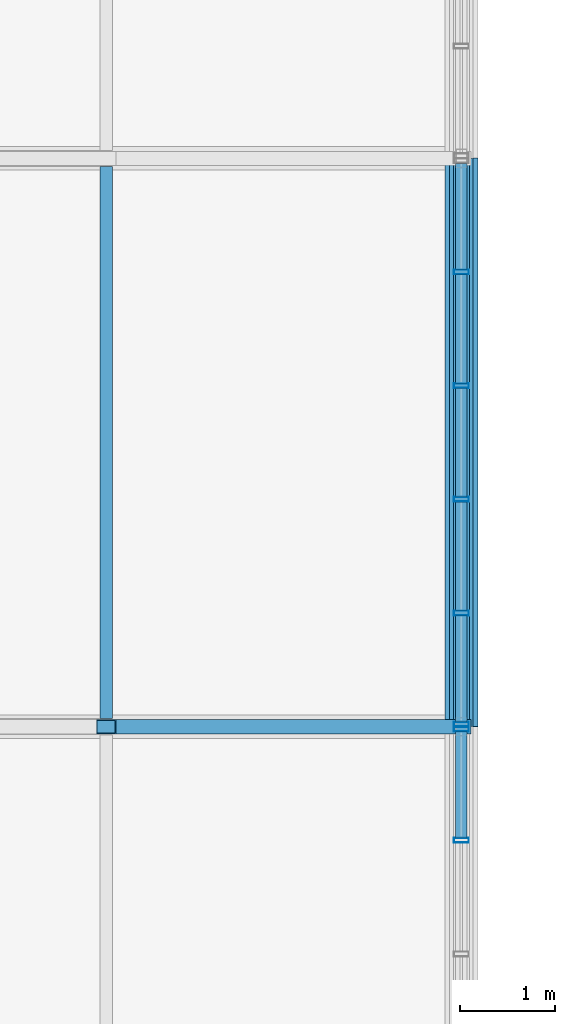
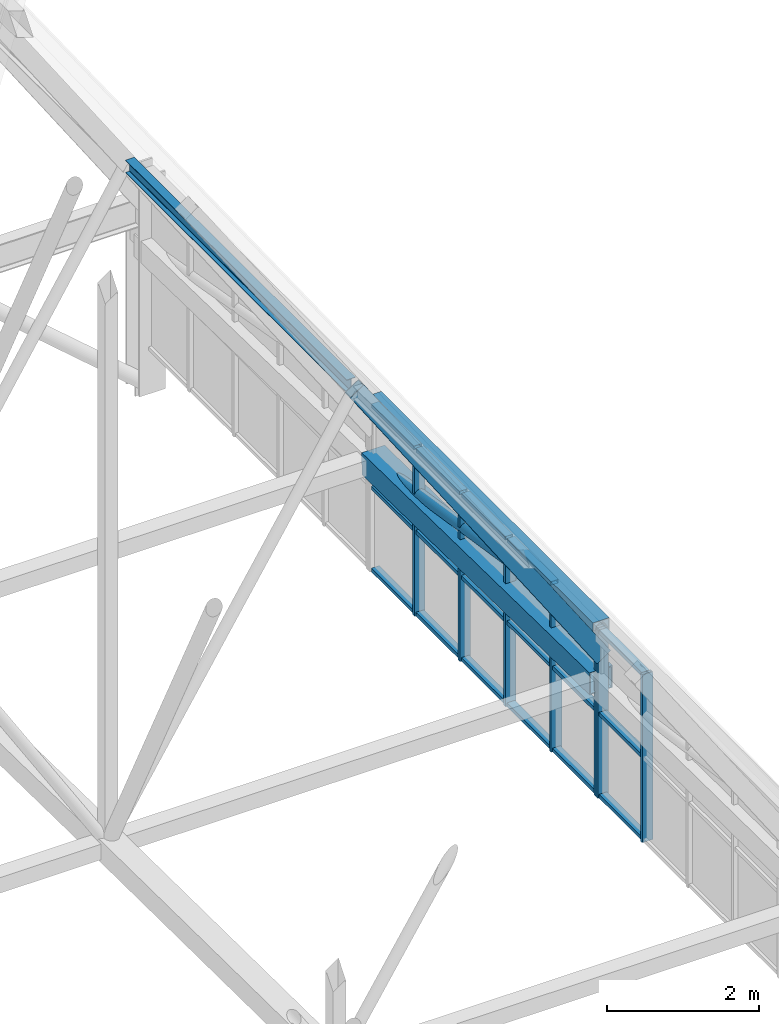
# One storey, part 240 of 324: 29 members, 1 beam, 2 elements without a shape of their own.
"""IFC4 building model written with IfcOpenShell, lengths in metres."""

from ifc_helpers import new_model, si_unit, direction, frame, origin, origin_2d, place, context, subcontext, project, spatial, hollow_rectangle, hollow_circle, i_section, extrude, material, layer, layer_set, material_profile, profile_set, type_object, element, aggregate, save


model = new_model("IFC4")

# Units and contexts
model_context = context("Model", 3, precision=1e-05, world=origin(), true_north=direction((0.0, 1.0)))
body_context = subcontext(model_context, "Body", "Model", "MODEL_VIEW")
ifc_project = project(units=[si_unit("LENGTHUNIT", "METRE"), si_unit("AREAUNIT", "SQUARE_METRE"), si_unit("VOLUMEUNIT", "CUBIC_METRE"), si_unit("PLANEANGLEUNIT", "RADIAN"), si_unit("MASSUNIT", "GRAM", prefix="KILO")], contexts=[model_context])

# Site, building, storey
site_placement = place(None, origin())
site = spatial("IfcSite", under=ifc_project, at=site_placement, CompositionType="ELEMENT")
building_placement = place(site_placement, origin())
building = spatial("IfcBuilding", under=site, at=building_placement, Name="Solvenia Promenade Tram Depot", CompositionType="ELEMENT")
storey_placement = place(building_placement, frame((0.0, 0.0, 4.5)))
storey = spatial("IfcBuildingStorey", under=building, at=storey_placement, Name="L01", CompositionType="ELEMENT", Elevation=4.5)

# Curtain wall, members
ifc_material_1 = material(Name="Anodized aluminium AW-6063 T6", Category="aluminium")
ifc_layer = layer(ifc_material_1, 0.159912109375, Name="Anodized aluminium AW-6063 T6", Category="aluminium")
ifc_layer_set = layer_set([ifc_layer], Name="Anodized aluminium AW-6063 T6")
curtain_wall_type = type_object("IfcCurtainWallType", Name="CW-Channel-1200", PredefinedType="NOTDEFINED", material=ifc_layer_set)
curtain_wall_1_placement = place(storey_placement, origin())
curtain_wall_1 = element("IfcCurtainWall", 1, at=curtain_wall_1_placement, inside=storey, type_object=curtain_wall_type, Name="Curtain Wall CW-V1E-08", PredefinedType="NOTDEFINED")
ifc_material_profile_1 = material_profile(ifc_material_1, hollow_rectangle(XDim=0.159912109375, YDim=0.052001953125, WallThickness=0.00390625, at=origin_2d()), Name="ALU-M1", Category="aluminium")
ifc_profile_set_1 = profile_set([ifc_material_profile_1], Name="Anodized aluminium AW-6063 T6")
member_type_1 = type_object("IfcMemberType", Name="CWM-Mullion-1", PredefinedType="MULLION", material=ifc_profile_set_1)
member_1_placement = place(storey_placement, frame((150.0, 112.800048828125, 0.699951171875), z_axis=(0.0, 0.0, 1.0), x_axis=(-1.0, 0.0, 0.0)))
member_1 = element("IfcMember", 2, at=member_1_placement, type_object=member_type_1, Name="CW-1 mullion 5", PredefinedType="MULLION", context=body_context, shape_type="SweptSolid", body=[
    extrude(hollow_rectangle(XDim=0.159912109375, YDim=0.052001953125, WallThickness=0.00390625, at=origin_2d()), origin(), (0.0, 0.0, 1.0), 2.699951171875),
])
member_2_placement = place(storey_placement, frame((150.0, 113.97412109375, 0.699951171875), z_axis=(0.0, 0.0, 1.0), x_axis=(-1.0, 0.0, 0.0)))
member_2 = element("IfcMember", 3, at=member_2_placement, type_object=member_type_1, Name="CW-1 mullion 6", PredefinedType="MULLION", context=body_context, shape_type="SweptSolid", body=[
    extrude(hollow_rectangle(XDim=0.159912109375, YDim=0.052001953125, WallThickness=0.00390625, at=origin_2d()), origin(), (0.0, 0.0, 1.0), 2.699951171875),
])

curtain_wall_2_placement = place(storey_placement, origin())
curtain_wall_2 = element("IfcCurtainWall", 4, at=curtain_wall_2_placement, inside=storey, type_object=curtain_wall_type, Name="Curtain Wall CW-V1E-09", PredefinedType="NOTDEFINED")
member_3_placement = place(storey_placement, frame((150.0, 114.02587890625, 0.699951171875), z_axis=(0.0, 0.0, 1.0), x_axis=(-1.0, 0.0, 0.0)))
member_3 = element("IfcMember", 5, at=member_3_placement, type_object=member_type_1, Name="CW-1 mullion 1", PredefinedType="MULLION", context=body_context, shape_type="SweptSolid", body=[
    extrude(hollow_rectangle(XDim=0.159912109375, YDim=0.052001953125, WallThickness=0.00390625, at=origin_2d()), origin(), (0.0, 0.0, 1.0), 2.699951171875),
])
member_4_placement = place(storey_placement, frame((150.0, 115.199951171875, 0.699951171875), z_axis=(0.0, 0.0, 1.0), x_axis=(-1.0, 0.0, 0.0)))
member_4 = element("IfcMember", 6, at=member_4_placement, type_object=member_type_1, Name="CW-1 mullion 2", PredefinedType="MULLION", context=body_context, shape_type="SweptSolid", body=[
    extrude(hollow_rectangle(XDim=0.159912109375, YDim=0.052001953125, WallThickness=0.00390625, at=origin_2d()), origin(), (0.0, 0.0, 1.0), 2.699951171875),
])
member_5_placement = place(storey_placement, frame((150.0, 116.39990234375, 0.699951171875), z_axis=(0.0, 0.0, 1.0), x_axis=(-1.0, 0.0, 0.0)))
member_5 = element("IfcMember", 7, at=member_5_placement, type_object=member_type_1, Name="CW-1 mullion 3", PredefinedType="MULLION", context=body_context, shape_type="SweptSolid", body=[
    extrude(hollow_rectangle(XDim=0.159912109375, YDim=0.052001953125, WallThickness=0.00390625, at=origin_2d()), origin(), (0.0, 0.0, 1.0), 2.699951171875),
])
member_6_placement = place(storey_placement, frame((150.0, 117.60009765625, 0.699951171875), z_axis=(0.0, 0.0, 1.0), x_axis=(-1.0, 0.0, 0.0)))
member_6 = element("IfcMember", 8, at=member_6_placement, type_object=member_type_1, Name="CW-1 mullion 4", PredefinedType="MULLION", context=body_context, shape_type="SweptSolid", body=[
    extrude(hollow_rectangle(XDim=0.159912109375, YDim=0.052001953125, WallThickness=0.00390625, at=origin_2d()), origin(), (0.0, 0.0, 1.0), 2.699951171875),
])
member_7_placement = place(storey_placement, frame((150.0, 118.800048828125, 0.699951171875), z_axis=(0.0, 0.0, 1.0), x_axis=(-1.0, 0.0, 0.0)))
member_7 = element("IfcMember", 9, at=member_7_placement, type_object=member_type_1, Name="CW-1 mullion 5", PredefinedType="MULLION", context=body_context, shape_type="SweptSolid", body=[
    extrude(hollow_rectangle(XDim=0.159912109375, YDim=0.052001953125, WallThickness=0.00390625, at=origin_2d()), origin(), (0.0, 0.0, 1.0), 2.699951171875),
])

# Member
ifc_material_profile_2 = material_profile(ifc_material_1, hollow_rectangle(XDim=0.1201171875, YDim=0.06005859375, WallThickness=0.00390625, at=origin_2d()), Name="ALU-T1", Category="aluminium")
ifc_profile_set_2 = profile_set([ifc_material_profile_2], Name="Anodized aluminium AW-6063 T6")
member_type_2 = type_object("IfcMemberType", Name="CWT-Transom-1", PredefinedType="USERDEFINED", material=ifc_profile_set_2)
member_8_placement = place(storey_placement, frame((150.0, 112.825927734375, 0.72998046875), z_axis=(0.0, 1.0, 0.0), x_axis=(-1.0, 0.0, 0.0)))
member_8 = element("IfcMember", 10, at=member_8_placement, type_object=member_type_2, Name="CW-1 transom 5.1", ObjectType="TRANSOM", PredefinedType="USERDEFINED", context=body_context, shape_type="SweptSolid", body=[
    extrude(hollow_rectangle(XDim=0.1201171875, YDim=0.06005859375, WallThickness=0.00390625, at=origin_2d()), origin(), (0.0, 0.0, 1.0), 1.1220703125),
])

member_9_placement = place(storey_placement, frame((150.0, 112.825927734375, 2.050048828125), z_axis=(0.0, 1.0, 0.0), x_axis=(-1.0, 0.0, 0.0)))
member_9 = element("IfcMember", 11, at=member_9_placement, type_object=member_type_2, Name="CW-1 transom 5.2", ObjectType="TRANSOM", PredefinedType="USERDEFINED", context=body_context, shape_type="SweptSolid", body=[
    extrude(hollow_rectangle(XDim=0.1201171875, YDim=0.06005859375, WallThickness=0.00390625, at=origin_2d()), origin(), (0.0, 0.0, 1.0), 1.1220703125),
])

member_10_placement = place(storey_placement, frame((150.0, 112.825927734375, 3.3701171875), z_axis=(0.0, 1.0, 0.0), x_axis=(-1.0, 0.0, 0.0)))
member_10 = element("IfcMember", 12, at=member_10_placement, type_object=member_type_2, Name="CW-1 transom 5.3", ObjectType="TRANSOM", PredefinedType="USERDEFINED", context=body_context, shape_type="SweptSolid", body=[
    extrude(hollow_rectangle(XDim=0.1201171875, YDim=0.06005859375, WallThickness=0.00390625, at=origin_2d()), origin(), (0.0, 0.0, 1.0), 1.1220703125),
])

aggregate(curtain_wall_1, [member_1, member_2, member_8, member_9, member_10])

member_11_placement = place(storey_placement, frame((150.0, 114.052001953125, 0.72998046875), z_axis=(0.0, 1.0, 0.0), x_axis=(-1.0, 0.0, 0.0)))
member_11 = element("IfcMember", 13, at=member_11_placement, type_object=member_type_2, Name="CW-1 transom 1.1", ObjectType="TRANSOM", PredefinedType="USERDEFINED", context=body_context, shape_type="SweptSolid", body=[
    extrude(hollow_rectangle(XDim=0.1201171875, YDim=0.06005859375, WallThickness=0.00390625, at=origin_2d()), origin(), (0.0, 0.0, 1.0), 1.1220703125),
])

member_12_placement = place(storey_placement, frame((150.0, 114.052001953125, 2.050048828125), z_axis=(0.0, 1.0, 0.0), x_axis=(-1.0, 0.0, 0.0)))
member_12 = element("IfcMember", 14, at=member_12_placement, type_object=member_type_2, Name="CW-1 transom 1.2", ObjectType="TRANSOM", PredefinedType="USERDEFINED", context=body_context, shape_type="SweptSolid", body=[
    extrude(hollow_rectangle(XDim=0.1201171875, YDim=0.06005859375, WallThickness=0.00390625, at=origin_2d()), origin(), (0.0, 0.0, 1.0), 1.1220703125),
])

member_13_placement = place(storey_placement, frame((150.0, 114.052001953125, 3.3701171875), z_axis=(0.0, 1.0, 0.0), x_axis=(-1.0, 0.0, 0.0)))
member_13 = element("IfcMember", 15, at=member_13_placement, type_object=member_type_2, Name="CW-1 transom 1.3", ObjectType="TRANSOM", PredefinedType="USERDEFINED", context=body_context, shape_type="SweptSolid", body=[
    extrude(hollow_rectangle(XDim=0.1201171875, YDim=0.06005859375, WallThickness=0.00390625, at=origin_2d()), origin(), (0.0, 0.0, 1.0), 1.1220703125),
])

member_14_placement = place(storey_placement, frame((150.0, 115.22607421875, 0.72998046875), z_axis=(0.0, 1.0, 0.0), x_axis=(-1.0, 0.0, 0.0)))
member_14 = element("IfcMember", 16, at=member_14_placement, type_object=member_type_2, Name="CW-1 transom 2.1", ObjectType="TRANSOM", PredefinedType="USERDEFINED", context=body_context, shape_type="SweptSolid", body=[
    extrude(hollow_rectangle(XDim=0.1201171875, YDim=0.06005859375, WallThickness=0.00390625, at=origin_2d()), origin(), (0.0, 0.0, 1.0), 1.14794921875),
])

member_15_placement = place(storey_placement, frame((150.0, 115.22607421875, 2.050048828125), z_axis=(0.0, 1.0, 0.0), x_axis=(-1.0, 0.0, 0.0)))
member_15 = element("IfcMember", 17, at=member_15_placement, type_object=member_type_2, Name="CW-1 transom 2.2", ObjectType="TRANSOM", PredefinedType="USERDEFINED", context=body_context, shape_type="SweptSolid", body=[
    extrude(hollow_rectangle(XDim=0.1201171875, YDim=0.06005859375, WallThickness=0.00390625, at=origin_2d()), origin(), (0.0, 0.0, 1.0), 1.14794921875),
])

member_16_placement = place(storey_placement, frame((150.0, 115.22607421875, 3.3701171875), z_axis=(0.0, 1.0, 0.0), x_axis=(-1.0, 0.0, 0.0)))
member_16 = element("IfcMember", 18, at=member_16_placement, type_object=member_type_2, Name="CW-1 transom 2.3", ObjectType="TRANSOM", PredefinedType="USERDEFINED", context=body_context, shape_type="SweptSolid", body=[
    extrude(hollow_rectangle(XDim=0.1201171875, YDim=0.06005859375, WallThickness=0.00390625, at=origin_2d()), origin(), (0.0, 0.0, 1.0), 1.14794921875),
])

member_17_placement = place(storey_placement, frame((150.0, 116.426025390625, 0.72998046875), z_axis=(0.0, 1.0, 0.0), x_axis=(-1.0, 0.0, 0.0)))
member_17 = element("IfcMember", 19, at=member_17_placement, type_object=member_type_2, Name="CW-1 transom 3.1", ObjectType="TRANSOM", PredefinedType="USERDEFINED", context=body_context, shape_type="SweptSolid", body=[
    extrude(hollow_rectangle(XDim=0.1201171875, YDim=0.06005859375, WallThickness=0.00390625, at=origin_2d()), origin(), (0.0, 0.0, 1.0), 1.14794921875),
])

member_18_placement = place(storey_placement, frame((150.0, 116.426025390625, 2.050048828125), z_axis=(0.0, 1.0, 0.0), x_axis=(-1.0, 0.0, 0.0)))
member_18 = element("IfcMember", 20, at=member_18_placement, type_object=member_type_2, Name="CW-1 transom 3.2", ObjectType="TRANSOM", PredefinedType="USERDEFINED", context=body_context, shape_type="SweptSolid", body=[
    extrude(hollow_rectangle(XDim=0.1201171875, YDim=0.06005859375, WallThickness=0.00390625, at=origin_2d()), origin(), (0.0, 0.0, 1.0), 1.14794921875),
])

member_19_placement = place(storey_placement, frame((150.0, 116.426025390625, 3.3701171875), z_axis=(0.0, 1.0, 0.0), x_axis=(-1.0, 0.0, 0.0)))
member_19 = element("IfcMember", 21, at=member_19_placement, type_object=member_type_2, Name="CW-1 transom 3.3", ObjectType="TRANSOM", PredefinedType="USERDEFINED", context=body_context, shape_type="SweptSolid", body=[
    extrude(hollow_rectangle(XDim=0.1201171875, YDim=0.06005859375, WallThickness=0.00390625, at=origin_2d()), origin(), (0.0, 0.0, 1.0), 1.14794921875),
])

member_20_placement = place(storey_placement, frame((150.0, 117.6259765625, 0.72998046875), z_axis=(0.0, 1.0, 0.0), x_axis=(-1.0, 0.0, 0.0)))
member_20 = element("IfcMember", 22, at=member_20_placement, type_object=member_type_2, Name="CW-1 transom 4.1", ObjectType="TRANSOM", PredefinedType="USERDEFINED", context=body_context, shape_type="SweptSolid", body=[
    extrude(hollow_rectangle(XDim=0.1201171875, YDim=0.06005859375, WallThickness=0.00390625, at=origin_2d()), origin(), (0.0, 0.0, 1.0), 1.14794921875),
])

member_21_placement = place(storey_placement, frame((150.0, 117.6259765625, 2.050048828125), z_axis=(0.0, 1.0, 0.0), x_axis=(-1.0, 0.0, 0.0)))
member_21 = element("IfcMember", 23, at=member_21_placement, type_object=member_type_2, Name="CW-1 transom 4.2", ObjectType="TRANSOM", PredefinedType="USERDEFINED", context=body_context, shape_type="SweptSolid", body=[
    extrude(hollow_rectangle(XDim=0.1201171875, YDim=0.06005859375, WallThickness=0.00390625, at=origin_2d()), origin(), (0.0, 0.0, 1.0), 1.14794921875),
])

member_22_placement = place(storey_placement, frame((150.0, 117.6259765625, 3.3701171875), z_axis=(0.0, 1.0, 0.0), x_axis=(-1.0, 0.0, 0.0)))
member_22 = element("IfcMember", 24, at=member_22_placement, type_object=member_type_2, Name="CW-1 transom 4.3", ObjectType="TRANSOM", PredefinedType="USERDEFINED", context=body_context, shape_type="SweptSolid", body=[
    extrude(hollow_rectangle(XDim=0.1201171875, YDim=0.06005859375, WallThickness=0.00390625, at=origin_2d()), origin(), (0.0, 0.0, 1.0), 1.14794921875),
])

member_23_placement = place(storey_placement, frame((150.0, 118.825927734375, 0.72998046875), z_axis=(0.0, 1.0, 0.0), x_axis=(-1.0, 0.0, 0.0)))
member_23 = element("IfcMember", 25, at=member_23_placement, type_object=member_type_2, Name="CW-1 transom 5.1", ObjectType="TRANSOM", PredefinedType="USERDEFINED", context=body_context, shape_type="SweptSolid", body=[
    extrude(hollow_rectangle(XDim=0.1201171875, YDim=0.06005859375, WallThickness=0.00390625, at=origin_2d()), origin(), (0.0, 0.0, 1.0), 1.1220703125),
])

member_24_placement = place(storey_placement, frame((150.0, 118.825927734375, 2.050048828125), z_axis=(0.0, 1.0, 0.0), x_axis=(-1.0, 0.0, 0.0)))
member_24 = element("IfcMember", 26, at=member_24_placement, type_object=member_type_2, Name="CW-1 transom 5.2", ObjectType="TRANSOM", PredefinedType="USERDEFINED", context=body_context, shape_type="SweptSolid", body=[
    extrude(hollow_rectangle(XDim=0.1201171875, YDim=0.06005859375, WallThickness=0.00390625, at=origin_2d()), origin(), (0.0, 0.0, 1.0), 1.1220703125),
])

member_25_placement = place(storey_placement, frame((150.0, 118.825927734375, 3.3701171875), z_axis=(0.0, 1.0, 0.0), x_axis=(-1.0, 0.0, 0.0)))
member_25 = element("IfcMember", 27, at=member_25_placement, type_object=member_type_2, Name="CW-1 transom 5.3", ObjectType="TRANSOM", PredefinedType="USERDEFINED", context=body_context, shape_type="SweptSolid", body=[
    extrude(hollow_rectangle(XDim=0.1201171875, YDim=0.06005859375, WallThickness=0.00390625, at=origin_2d()), origin(), (0.0, 0.0, 1.0), 1.1220703125),
])

aggregate(curtain_wall_2, [member_3, member_4, member_5, member_6, member_7, member_11, member_12, member_13, member_14, member_15, member_16, member_17, member_18, member_19, member_20, member_21, member_22, member_23, member_24, member_25])

# Members
ifc_material_2 = material(Name="Structural steel ASTM A500 Gr. C", Category="steel")
ifc_material_profile_3 = material_profile(ifc_material_2, hollow_rectangle(XDim=0.14990234375, YDim=0.25, WallThickness=0.010009765625, at=origin_2d()), Name="HSS250x150x10", Category="steel")
ifc_profile_set_3 = profile_set([ifc_material_profile_3], Name="Structural steel ASTM A500 Gr. C")
member_type_3 = type_object("IfcMemberType", Name="Chord-HSS250x150x10", PredefinedType="CHORD", material=ifc_profile_set_3)
member_26_placement = place(storey_placement, frame((146.25, 114.0, 8.54443359375), z_axis=(0.557276274528, 0.0, -0.830327136644), x_axis=(0.0, 1.0, 0.0)))
element("IfcMember", 28, at=member_26_placement, inside=storey, type_object=member_type_3, Name="Zigzag Gable 10 East Lower Rafter", PredefinedType="CHORD", context=body_context, shape_type="SweptSolid", body=[
    extrude(hollow_rectangle(XDim=0.14990234375, YDim=0.25, WallThickness=0.010009765625, at=origin_2d()), origin(), (0.0, 0.0, 1.0), 6.729248046875),
])
ifc_material_profile_4 = material_profile(ifc_material_2, hollow_rectangle(XDim=0.25, YDim=0.25, WallThickness=0.010009765625, at=origin_2d()), Name="HSS250x250x10", Category="steel")
ifc_profile_set_4 = profile_set([ifc_material_profile_4], Name="Structural steel ASTM A500 Gr. C")
member_type_4 = type_object("IfcMemberType", Name="Chord-HSS250x250x10", PredefinedType="CHORD", material=ifc_profile_set_4)
member_27_placement = place(storey_placement, frame((150.0, 114.0, 3.3798828125), z_axis=(0.0, 1.0, 0.0), x_axis=(-1.0, 0.0, 0.0)))
element("IfcMember", 29, at=member_27_placement, inside=storey, type_object=member_type_4, Name="Arched Truss T21 Upper Chord S09", PredefinedType="CHORD", context=body_context, shape_type="SweptSolid", body=[
    extrude(hollow_rectangle(XDim=0.25, YDim=0.25, WallThickness=0.010009765625, at=origin_2d()), origin(), (0.0, 0.0, 1.0), 6.0),
])
ifc_material_profile_5 = material_profile(ifc_material_2, hollow_rectangle(XDim=0.35009765625, YDim=0.35009765625, WallThickness=0.01611328125, at=origin_2d()), Name="HSS350x350x16", Category="steel")
ifc_profile_set_5 = profile_set([ifc_material_profile_5], Name="Structural steel ASTM A500 Gr. C")
member_type_5 = type_object("IfcMemberType", Name="Chord-HSS350x350x16", PredefinedType="CHORD", material=ifc_profile_set_5)
member_28_placement = place(storey_placement, frame((150.0, 114.0, 2.5439453125), z_axis=(0.0, 0.999866908707, -0.016314560156), x_axis=(-1.0, 0.0, 0.0)))
element("IfcMember", 30, at=member_28_placement, inside=storey, type_object=member_type_5, Name="Arched Truss T21 Bottom Chord S09", PredefinedType="CHORD", context=body_context, shape_type="SweptSolid", body=[
    extrude(hollow_rectangle(XDim=0.35009765625, YDim=0.35009765625, WallThickness=0.01611328125, at=origin_2d()), origin(), (0.0, 0.0, 1.0), 6.000732421875),
])

# Beam
ifc_material_3 = material(Name="Structural steel ASTM A992 Gr. 50", Category="steel")
ifc_material_profile_6 = material_profile(ifc_material_3, i_section(OverallWidth=0.133056640625, OverallDepth=0.20703125, WebThickness=0.005859375, FlangeThickness=0.00830078125, FilletRadius=0.009033203125, at=origin_2d()), Name="W200x27", Category="steel")
ifc_profile_set_6 = profile_set([ifc_material_profile_6], Name="Structural steel ASTM A992 Gr. 50")
beam_type = type_object("IfcBeamType", Name="Purlin-W200x27", PredefinedType="USERDEFINED", material=ifc_profile_set_6)
beam_placement = place(storey_placement, frame((146.25, 114.0849609375, 8.551025390625), z_axis=(0.0, 1.0, 0.0), x_axis=(-1.0, 0.0, 0.0)))
element("IfcBeam", 31, at=beam_placement, inside=storey, type_object=beam_type, Name="Gable Roof Purlin E-0198", ObjectType="PURLIN", PredefinedType="USERDEFINED", context=body_context, shape_type="SweptSolid", body=[
    extrude(i_section(OverallWidth=0.133056640625, OverallDepth=0.20703125, WebThickness=0.005859375, FlangeThickness=0.00830078125, FilletRadius=0.009033203125, at=origin_2d()), origin(), (0.0, 0.0, 1.0), 5.830078125),
])

# Member
ifc_material_profile_7 = material_profile(ifc_material_2, hollow_circle(Radius=0.084228515625, WallThickness=0.008056640625, at=origin_2d()), Name="CHS168.3x8", Category="steel")
ifc_profile_set_7 = profile_set([ifc_material_profile_7], Name="Structural steel ASTM A500 Gr. C")
member_type_6 = type_object("IfcMemberType", Name="WebDiag-CHS168x8", PredefinedType="BRACE", material=ifc_profile_set_7)
member_29_placement = place(storey_placement, frame((150.0, 120.0, 2.446044921875), z_axis=(0.0, -0.9881038455, 0.153788135133), x_axis=(1.0, 0.0, 0.0)))
element("IfcMember", 32, at=member_29_placement, inside=storey, type_object=member_type_6, Name="Arched Truss T21 Web Diagonal S09", PredefinedType="BRACE", context=body_context, shape_type="SweptSolid", body=[
    extrude(hollow_circle(Radius=0.084228515625, WallThickness=0.008056640625, at=origin_2d()), origin(), (0.0, 0.0, 1.0), 6.072265625),
])

save(model, "model.ifc")
